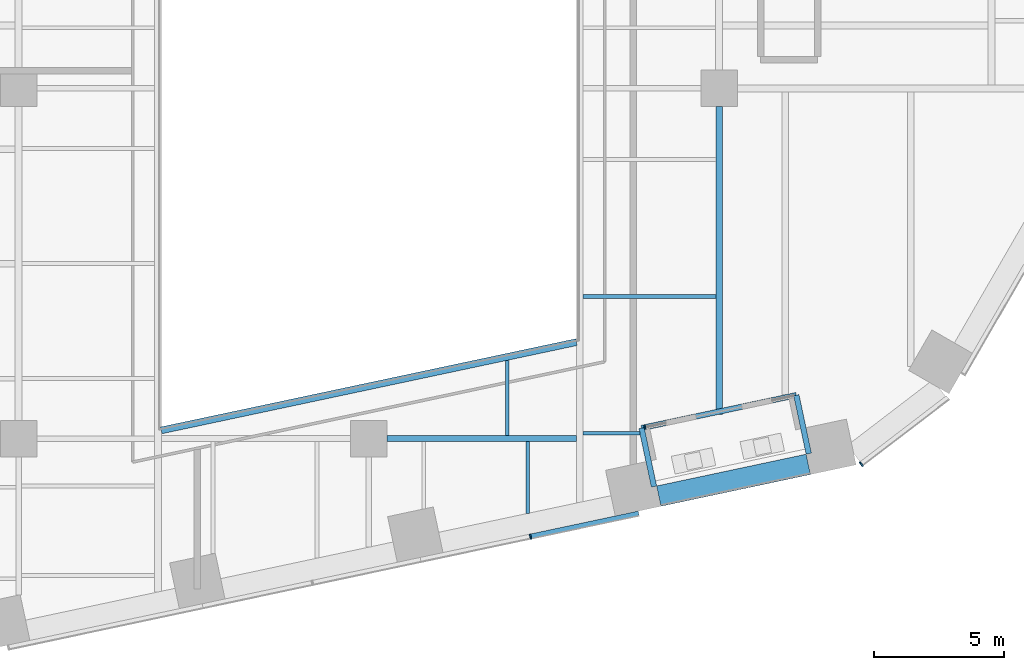
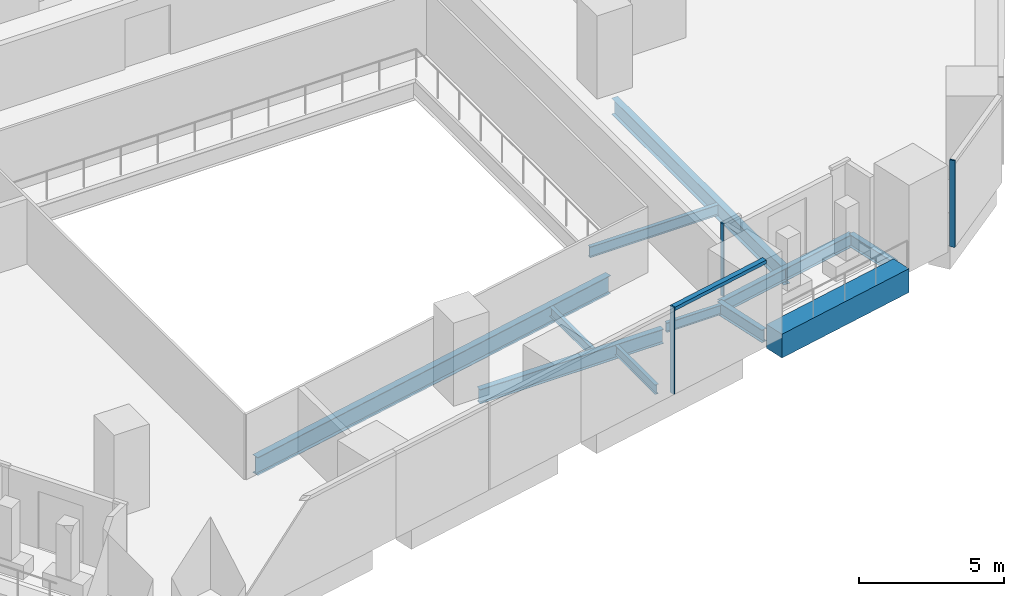
# One storey, part 5 of 31: 11 beams, 4 members, 3 elements without a shape of their own.
"""IFC4 building model written with IfcOpenShell, lengths in metres."""

from ifc_helpers import new_model, si_unit, direction, frame, origin, origin_2d, place, context, subcontext, project, spatial, rectangle, i_section, extrude, material, layer, layer_set, material_profile, profile_set, type_object, element, aggregate, save


model = new_model("IFC4")

# Units and contexts
model_context = context("Model", 3, precision=1e-05, world=origin(), true_north=direction((0.0, 1.0)))
body_context = subcontext(model_context, "Body", "Model", "MODEL_VIEW")
ifc_project = project(units=[si_unit("LENGTHUNIT", "METRE"), si_unit("AREAUNIT", "SQUARE_METRE"), si_unit("VOLUMEUNIT", "CUBIC_METRE"), si_unit("PLANEANGLEUNIT", "RADIAN"), si_unit("MASSUNIT", "GRAM", prefix="KILO")], contexts=[model_context])

# Site, building, storey
site_placement = place(None, origin())
site = spatial("IfcSite", under=ifc_project, at=site_placement, CompositionType="ELEMENT")
building_placement = place(site_placement, origin())
building = spatial("IfcBuilding", under=site, at=building_placement, Name="Isthmus Gate Tower", CompositionType="ELEMENT")
storey_placement = place(building_placement, frame((0.0, 0.0, 54.25)))
storey = spatial("IfcBuildingStorey", under=building, at=storey_placement, Name="L11", CompositionType="ELEMENT", Elevation=54.25)

# Curtain wall, member
ifc_material_1 = material(Name="Aluminium, pale champagne anodised", Category="aluminium")
ifc_layer_1 = layer(ifc_material_1, 0.199951171875)
ifc_layer_set_1 = layer_set([ifc_layer_1], Name="CW-1 UNITISED CURTAIN WALL 200 DEEP")
curtain_wall_type_1 = type_object("IfcCurtainWallType", Name="CW-1 UNITISED CURTAIN WALL 200 DEEP", PredefinedType="NOTDEFINED", material=ifc_layer_set_1)
curtain_wall_1_placement = place(storey_placement, origin())
curtain_wall_1 = element("IfcCurtainWall", 1, at=curtain_wall_1_placement, inside=storey, type_object=curtain_wall_type_1, Name="CW-1 S L11", PredefinedType="NOTDEFINED")
ifc_material_2 = material(Name="Aluminium, pale champagne anodised", Category="aluminium")
ifc_material_profile_1 = material_profile(ifc_material_2, rectangle(XDim=0.06005859375, YDim=0.199951171875, at=origin_2d()), Name="60x200")
ifc_profile_set_1 = profile_set([ifc_material_profile_1], Name="Aluminium, pale champagne anodised")
member_type_1 = type_object("IfcMemberType", Name="CW-1 MULLION 60 X 200", PredefinedType="MULLION", material=ifc_profile_set_1)
member_1_placement = place(storey_placement, frame((6.228759765625, -30.7783203125, 0.0), z_axis=(0.0, 0.0, 1.0), x_axis=(0.978147600734, 0.207911690818, 0.0)))
member_1 = element("IfcMember", 2, at=member_1_placement, type_object=member_type_1, Name="CW-1 mullion", PredefinedType="MULLION", context=body_context, shape_type="SweptSolid", body=[
    extrude(rectangle(XDim=0.06005859375, YDim=0.199951171875, at=origin_2d()), origin(), (0.0, 0.0, 1.0), 3.64990234375),
])

curtain_wall_2_placement = place(storey_placement, origin())
curtain_wall_2 = element("IfcCurtainWall", 3, at=curtain_wall_2_placement, inside=storey, type_object=curtain_wall_type_1, Name="CW-1 S-SE L11", PredefinedType="NOTDEFINED")
member_2_placement = place(storey_placement, frame((18.978759765625, -27.982421875, 0.0), z_axis=(0.0, 0.0, 1.0), x_axis=(0.794188594387, 0.607671355706, 0.0)))
member_2 = element("IfcMember", 4, at=member_2_placement, type_object=member_type_1, Name="CW-1 mullion", PredefinedType="MULLION", context=body_context, shape_type="SweptSolid", body=[
    extrude(rectangle(XDim=0.06005859375, YDim=0.199951171875, at=origin_2d()), origin(), (0.0, 0.0, 1.0), 3.64990234375),
])
aggregate(curtain_wall_2, [member_2])

# Member
ifc_material_3 = material(Name="Aluminium, pale champagne anodised", Category="aluminium")
ifc_material_profile_2 = material_profile(ifc_material_3, rectangle(XDim=0.199951171875, YDim=0.14990234375, at=origin_2d()), Name="200x150")
ifc_profile_set_2 = profile_set([ifc_material_profile_2], Name="Aluminium, pale champagne anodised")
member_type_2 = type_object("IfcMemberType", Name="CW-1 TRANSOM 200 X 150", PredefinedType="USERDEFINED", material=ifc_profile_set_2)
member_3_placement = place(storey_placement, frame((6.258056640625, -30.77197265625, 3.574951171875), z_axis=(0.978150351608, 0.20789874855, 0.0), x_axis=(-0.20789874855, 0.978150351608, 0.0)))
member_3 = element("IfcMember", 5, at=member_3_placement, type_object=member_type_2, Name="CW-1 transom", ObjectType="TRANSOM", PredefinedType="USERDEFINED", context=body_context, shape_type="SweptSolid", body=[
    extrude(rectangle(XDim=0.199951171875, YDim=0.14990234375, at=origin_2d()), origin(), (0.0, 0.0, 1.0), 4.234619140625),
])

aggregate(curtain_wall_1, [member_1, member_3])

# Curtain wall, member
ifc_material_4 = material(Name="Aluminium, pale champagne anodised", Category="aluminium")
ifc_layer_2 = layer(ifc_material_4, 0.14990234375)
ifc_layer_set_2 = layer_set([ifc_layer_2], Name="CW-6 LOGGIA BACK WALL GLAZING 150 DEEP")
curtain_wall_type_2 = type_object("IfcCurtainWallType", Name="CW-6 LOGGIA BACK WALL GLAZING 150 DEEP", PredefinedType="NOTDEFINED", material=ifc_layer_set_2)
curtain_wall_3_placement = place(storey_placement, origin())
curtain_wall_3 = element("IfcCurtainWall", 6, at=curtain_wall_3_placement, inside=storey, type_object=curtain_wall_type_2, Name="CW-6 S L11", PredefinedType="NOTDEFINED")
ifc_material_5 = material(Name="Aluminium, pale champagne anodised", Category="aluminium")
ifc_material_profile_3 = material_profile(ifc_material_5, rectangle(XDim=0.06005859375, YDim=0.14990234375, at=origin_2d()), Name="60x150")
ifc_profile_set_3 = profile_set([ifc_material_profile_3], Name="Aluminium, pale champagne anodised")
member_type_3 = type_object("IfcMemberType", Name="CW-6 MULLION 60 X 150", PredefinedType="MULLION", material=ifc_profile_set_3)
member_4_placement = place(storey_placement, frame((10.64453125, -26.568115234375, 0.0), z_axis=(0.0, 0.0, 1.0), x_axis=(0.978147600734, 0.207911690818, 0.0)))
member_4 = element("IfcMember", 7, at=member_4_placement, type_object=member_type_3, Name="CW-6 mullion", PredefinedType="MULLION", context=body_context, shape_type="SweptSolid", body=[
    extrude(rectangle(XDim=0.06005859375, YDim=0.14990234375, at=origin_2d()), origin(), (0.0, 0.0, 1.0), 3.050048828125),
])
aggregate(curtain_wall_3, [member_4])

# Beams
ifc_material_6 = material(Name="Concrete f'c 70 MPa", Category="concrete")
ifc_material_profile_4 = material_profile(ifc_material_6, rectangle(XDim=0.800048828125, YDim=1.0, at=origin_2d()), Name="RC 800X1000")
ifc_profile_set_4 = profile_set([ifc_material_profile_4], Name="Concrete f'c 70 MPa")
beam_type_1 = type_object("IfcBeamType", Name="RC SPANDREL 800 X 1000", PredefinedType="SPANDREL", material=ifc_profile_set_4)
beam_1_placement = place(storey_placement, frame((16.937255859375, -27.990966796875, -0.5), z_axis=(-0.97815168619, -0.207892469327, 0.0), x_axis=(0.207892469327, -0.97815168619, 0.0)))
element("IfcBeam", 8, at=beam_1_placement, inside=storey, type_object=beam_type_1, Name="str-spandrel-L11-10", PredefinedType="SPANDREL", context=body_context, shape_type="SweptSolid", body=[
    extrude(rectangle(XDim=0.800048828125, YDim=1.0, at=origin_2d()), origin(), (0.0, 0.0, 1.0), 5.889404296875),
])
ifc_material_7 = material(Name="Structural steel ASTM A992 Gr 50", Category="steel")
ifc_material_profile_5 = material_profile(ifc_material_7, i_section(OverallWidth=0.1396484375, OverallDepth=0.4033203125, WebThickness=0.00634765625, FlangeThickness=0.010986328125, at=origin_2d()), Name="W16X31")
ifc_profile_set_5 = profile_set([ifc_material_profile_5], Name="Structural steel ASTM A992 Gr 50")
beam_type_2 = type_object("IfcBeamType", Name="STEEL FLOOR BEAM W16X31", PredefinedType="JOIST", material=ifc_profile_set_5)
beam_2_placement = place(storey_placement, frame((5.333251953125, -26.8857421875, -0.3515625), z_axis=(0.0, 1.0, 0.0), x_axis=(-1.0, 0.0, 0.0)))
element("IfcBeam", 9, at=beam_2_placement, inside=storey, type_object=beam_type_2, Name="str-beam-L11-20-00", PredefinedType="JOIST", context=body_context, shape_type="SweptSolid", body=[
    extrude(i_section(OverallWidth=0.1396484375, OverallDepth=0.4033203125, WebThickness=0.00634765625, FlangeThickness=0.010986328125, at=origin_2d()), origin(), (0.0, 0.0, 1.0), 2.903076171875),
])
beam_3_placement = place(storey_placement, frame((6.125, -29.880126953125, -0.3515625), z_axis=(0.0, 1.0, 0.0), x_axis=(-1.0, 0.0, 0.0)))
element("IfcBeam", 10, at=beam_3_placement, inside=storey, type_object=beam_type_2, Name="str-beam-L11-21-01", PredefinedType="JOIST", context=body_context, shape_type="SweptSolid", body=[
    extrude(i_section(OverallWidth=0.1396484375, OverallDepth=0.4033203125, WebThickness=0.00634765625, FlangeThickness=0.010986328125, at=origin_2d()), origin(), (0.0, 0.0, 1.0), 2.765869140625),
])
beam_4_placement = place(storey_placement, frame((8.263427734375, -26.788818359375, -0.3515625), z_axis=(1.0, 0.0, 0.0), x_axis=(0.0, 1.0, 0.0)))
element("IfcBeam", 11, at=beam_4_placement, inside=storey, type_object=beam_type_2, Name="str-beam-L11-25-00", PredefinedType="JOIST", context=body_context, shape_type="SweptSolid", body=[
    extrude(i_section(OverallWidth=0.1396484375, OverallDepth=0.4033203125, WebThickness=0.00634765625, FlangeThickness=0.010986328125, at=origin_2d()), origin(), (0.0, 0.0, 1.0), 2.18310546875),
])
ifc_material_8 = material(Name="Structural steel ASTM A992 Gr 50", Category="steel")
ifc_material_profile_6 = material_profile(ifc_material_8, i_section(OverallWidth=0.15234375, OverallDepth=0.45068359375, WebThickness=0.0078125, FlangeThickness=0.010986328125, at=origin_2d()), Name="W18X35")
ifc_profile_set_6 = profile_set([ifc_material_profile_6], Name="Structural steel ASTM A992 Gr 50")
beam_type_3 = type_object("IfcBeamType", Name="STEEL FLOOR BEAM W18X35", PredefinedType="JOIST", material=ifc_profile_set_6)
beam_5_placement = place(storey_placement, frame((8.263427734375, -21.51513671875, -0.37548828125), z_axis=(1.0, 0.0, 0.0), x_axis=(0.0, 1.0, 0.0)))
element("IfcBeam", 12, at=beam_5_placement, inside=storey, type_object=beam_type_3, Name="str-beam-L11-25-01", PredefinedType="JOIST", context=body_context, shape_type="SweptSolid", body=[
    extrude(i_section(OverallWidth=0.15234375, OverallDepth=0.45068359375, WebThickness=0.0078125, FlangeThickness=0.010986328125, at=origin_2d()), origin(), (0.0, 0.0, 1.0), 5.109619140625),
])
ifc_material_9 = material(Name="Structural steel ASTM A992 Gr 50", Category="steel")
ifc_material_profile_7 = material_profile(ifc_material_9, i_section(OverallWidth=0.228515625, OverallDepth=0.603271484375, WebThickness=0.010986328125, FlangeThickness=0.014404296875, at=origin_2d()), Name="W24X68")
ifc_profile_set_7 = profile_set([ifc_material_profile_7], Name="Structural steel ASTM A992 Gr 50")
beam_type_4 = type_object("IfcBeamType", Name="STEEL GIRDER W24X68", PredefinedType="BEAM", material=ifc_profile_set_7)
beam_6_placement = place(storey_placement, frame((0.699951171875, -27.0, -0.45166015625), z_axis=(1.0, 0.0, 0.0), x_axis=(0.0, 1.0, 0.0)))
element("IfcBeam", 13, at=beam_6_placement, inside=storey, type_object=beam_type_4, Name="str-girder-L11-04", PredefinedType="BEAM", context=body_context, shape_type="SweptSolid", body=[
    extrude(i_section(OverallWidth=0.228515625, OverallDepth=0.603271484375, WebThickness=0.010986328125, FlangeThickness=0.014404296875, at=origin_2d()), origin(), (0.0, 0.0, 1.0), 7.300048828125),
])
ifc_material_10 = material(Name="Structural steel ASTM A992 Gr 50", Category="steel")
ifc_material_profile_8 = material_profile(ifc_material_10, i_section(OverallWidth=0.25390625, OverallDepth=0.679443359375, WebThickness=0.010986328125, FlangeThickness=0.015869140625, at=origin_2d()), Name="W27X84")
ifc_profile_set_8 = profile_set([ifc_material_profile_8], Name="Structural steel ASTM A992 Gr 50")
beam_type_5 = type_object("IfcBeamType", Name="STEEL GIRDER W27X84", PredefinedType="BEAM", material=ifc_profile_set_8)
beam_7_placement = place(storey_placement, frame((13.5, -26.0634765625, -0.48974609375), z_axis=(0.0, 1.0, 0.0), x_axis=(-1.0, 0.0, 0.0)))
element("IfcBeam", 14, at=beam_7_placement, inside=storey, type_object=beam_type_5, Name="str-girder-L11-31", PredefinedType="BEAM", context=body_context, shape_type="SweptSolid", body=[
    extrude(i_section(OverallWidth=0.25390625, OverallDepth=0.679443359375, WebThickness=0.010986328125, FlangeThickness=0.015869140625, at=origin_2d()), origin(), (0.0, 0.0, 1.0), 11.863525390625),
])
ifc_material_11 = material(Name="Structural steel ASTM A992 Gr 50", Category="steel")
ifc_material_profile_9 = material_profile(ifc_material_11, i_section(OverallWidth=0.20947265625, OverallDepth=0.533447265625, WebThickness=0.009521484375, FlangeThickness=0.015869140625, at=origin_2d()), Name="W21X62")
ifc_profile_set_9 = profile_set([ifc_material_profile_9], Name="Structural steel ASTM A992 Gr 50")
beam_type_6 = type_object("IfcBeamType", Name="STEEL TRIMMER W21X62", PredefinedType="BEAM", material=ifc_profile_set_9)
beam_8_placement = place(storey_placement, frame((10.51171875, -26.591552734375, -0.416748046875), z_axis=(0.978146131956, 0.207918600752, 0.0), x_axis=(-0.207918600752, 0.978146131956, 0.0)))
element("IfcBeam", 15, at=beam_8_placement, inside=storey, type_object=beam_type_6, Name="str-loggiatrim-L11-04-B", PredefinedType="BEAM", context=body_context, shape_type="SweptSolid", body=[
    extrude(i_section(OverallWidth=0.20947265625, OverallDepth=0.533447265625, WebThickness=0.009521484375, FlangeThickness=0.015869140625, at=origin_2d()), origin(), (0.0, 0.0, 1.0), 6.098876953125),
])
for number, where, z_axis, x_axis, name in (
    (16, (10.990966796875, -28.845947265625, -0.416748046875), (-0.20793730269, 0.978142156412, 0.0), (-0.978142156412, -0.20793730269, 0.0), "str-loggiatrim-L11-04-A"),
    (17, (16.95654296875, -27.577880859375, -0.416748046875), (-0.20793730269, 0.978142156412, 0.0), (-0.978142156412, -0.20793730269, 0.0), "str-loggiatrim-L11-04-C"),
):
    element("IfcBeam", number, at=place(storey_placement, frame(where, z_axis=z_axis, x_axis=x_axis)), inside=storey, type_object=beam_type_6, Name=name, PredefinedType="BEAM", context=body_context, shape_type="SweptSolid", body=[
        extrude(i_section(OverallWidth=0.20947265625, OverallDepth=0.533447265625, WebThickness=0.009521484375, FlangeThickness=0.015869140625, at=origin_2d()), origin(), (0.0, 0.0, 1.0), 2.3046875),
    ])
ifc_material_12 = material(Name="Structural steel ASTM A992 Gr 50", Category="steel")
ifc_material_profile_10 = material_profile(ifc_material_12, i_section(OverallWidth=0.2666015625, OverallDepth=0.7587890625, WebThickness=0.014404296875, FlangeThickness=0.01904296875, at=origin_2d()), Name="W30X108")
ifc_profile_set_10 = profile_set([ifc_material_profile_10], Name="Structural steel ASTM A992 Gr 50")
beam_type_7 = type_object("IfcBeamType", Name="STEEL TRIMMER W30X108", PredefinedType="BEAM", material=ifc_profile_set_10)
beam_9_placement = place(storey_placement, frame((-8.0, -26.680419921875, -0.529296875), z_axis=(0.978147924985, 0.20791016533, 0.0), x_axis=(-0.20791016533, 0.978147924985, 0.0)))
element("IfcBeam", 18, at=beam_9_placement, inside=storey, type_object=beam_type_7, Name="str-trimmer-L11-03", PredefinedType="BEAM", context=body_context, shape_type="SweptSolid", body=[
    extrude(i_section(OverallWidth=0.2666015625, OverallDepth=0.7587890625, WebThickness=0.014404296875, FlangeThickness=0.01904296875, at=origin_2d()), origin(), (0.0, 0.0, 1.0), 16.357421875),
])

save(model, "model.ifc")
